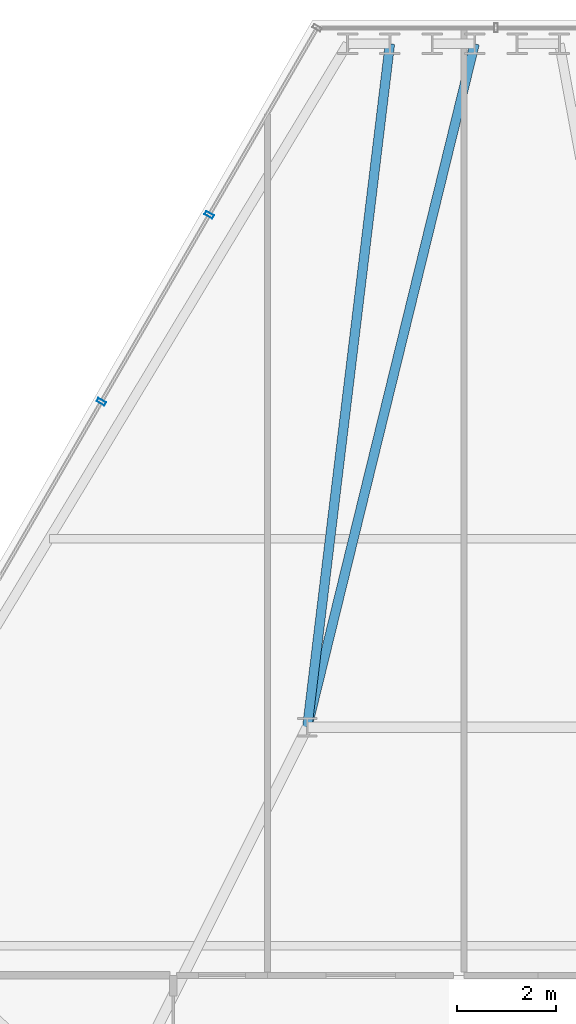
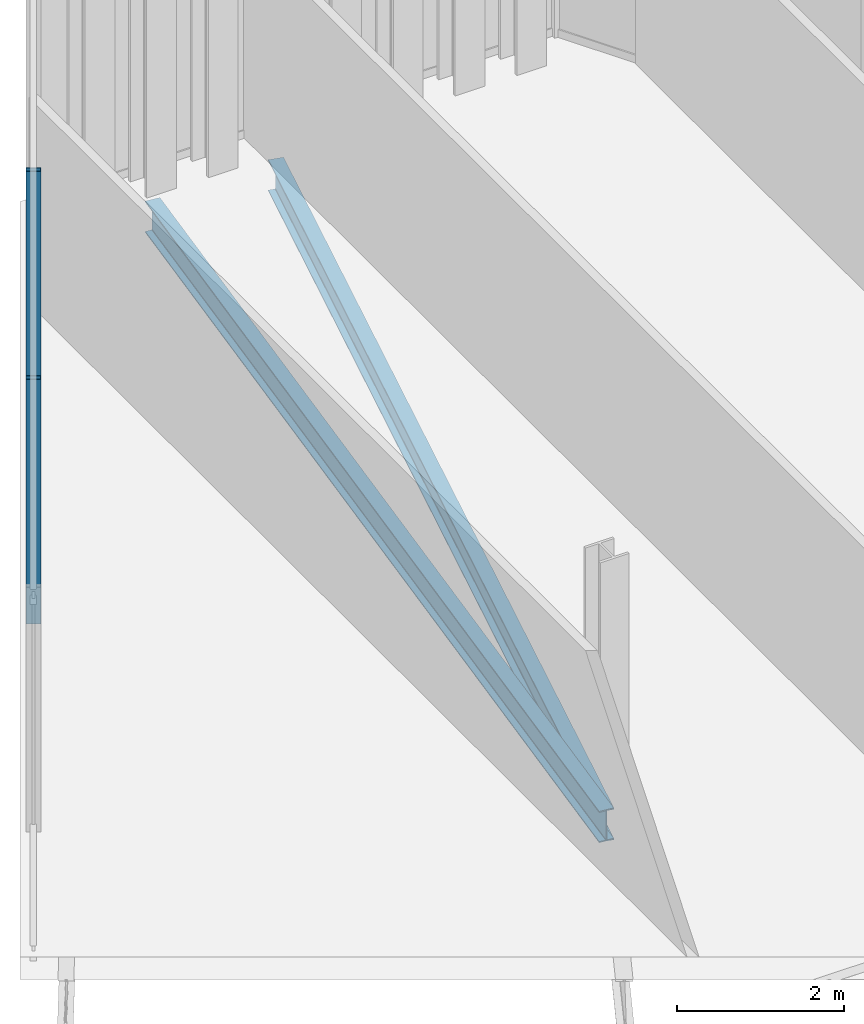
# One storey, part 20 of 29: 2 beams, 2 members, 1 element without a shape of its own.
"""IFC4 building model written with IfcOpenShell, lengths in metres."""

from ifc_helpers import new_model, si_unit, direction, frame, origin, origin_2d, place, context, subcontext, project, spatial, hollow_rectangle, i_section, extrude, material, layer, layer_set, material_profile, profile_set, type_object, element, aggregate, save


model = new_model("IFC4")

# Units and contexts
model_context = context("Model", 3, precision=1e-05, world=origin(), true_north=direction((0.0, 1.0)))
body_context = subcontext(model_context, "Body", "Model", "MODEL_VIEW")
ifc_project = project(units=[si_unit("LENGTHUNIT", "METRE"), si_unit("AREAUNIT", "SQUARE_METRE"), si_unit("VOLUMEUNIT", "CUBIC_METRE"), si_unit("PLANEANGLEUNIT", "RADIAN"), si_unit("MASSUNIT", "GRAM", prefix="KILO")], contexts=[model_context])

# Site, building, storey
site_placement = place(None, origin())
site = spatial("IfcSite", under=ifc_project, at=site_placement, CompositionType="ELEMENT")
building_placement = place(site_placement, origin())
building = spatial("IfcBuilding", under=site, at=building_placement, Name="Ndaravel Arena Tower", CompositionType="ELEMENT")
storey_placement = place(building_placement, frame((0.0, 0.0, 233.199951171875)))
storey = spatial("IfcBuildingStorey", under=building, at=storey_placement, Name="L56", CompositionType="ELEMENT", Elevation=233.199951171875)

# Beams
ifc_material_1 = material(Name="Steel S355", Category="steel")
ifc_material_profile_1 = material_profile(ifc_material_1, i_section(OverallWidth=0.19140625, OverallDepth=0.4599609375, WebThickness=0.010009765625, FlangeThickness=0.01611328125, FilletRadius=0.01025390625, at=origin_2d()), Name="UB 457x191x82")
ifc_profile_set_1 = profile_set([ifc_material_profile_1], Name="Steel S355")
beam_type = type_object("IfcBeamType", Name="BM-GIRD-UB457", PredefinedType="BEAM", material=ifc_profile_set_1)
beam_1_placement = place(storey_placement, frame((41.572998046875, 44.968994140625, -0.449951171875), z_axis=(-0.237937697562, -0.971280418869, 0.0), x_axis=(0.971280418869, -0.237937697562, 0.0)))
element("IfcBeam", 1, at=beam_1_placement, inside=storey, type_object=beam_type, Name="L56 Radial Floor Girder FG-15", PredefinedType="BEAM", context=body_context, shape_type="SweptSolid", body=[
    extrude(i_section(OverallWidth=0.19140625, OverallDepth=0.4599609375, WebThickness=0.010009765625, FlangeThickness=0.01611328125, FilletRadius=0.01025390625, at=origin_2d()), origin(), (0.0, 0.0, 1.0), 14.17626953125),
])
beam_2_placement = place(storey_placement, frame((39.865478515625, 44.968994140625, -0.449951171875), z_axis=(-0.120086390048, -0.992763445603, 0.0), x_axis=(0.992763445603, -0.120086390048, 0.0)))
element("IfcBeam", 2, at=beam_2_placement, inside=storey, type_object=beam_type, Name="L56 Radial Floor Girder FG-17", PredefinedType="BEAM", context=body_context, shape_type="SweptSolid", body=[
    extrude(i_section(OverallWidth=0.19140625, OverallDepth=0.4599609375, WebThickness=0.010009765625, FlangeThickness=0.01611328125, FilletRadius=0.01025390625, at=origin_2d()), origin(), (0.0, 0.0, 1.0), 13.869384765625),
])

# Curtain wall, members
ifc_material_2 = material(Name="Aluminium", Category="aluminium")
ifc_layer = layer(ifc_material_2, 0.179931640625)
ifc_layer_set = layer_set([ifc_layer], Name="Aluminium")
curtain_wall_type = type_object("IfcCurtainWallType", Name="CW-SYS-03", PredefinedType="NOTDEFINED", material=ifc_layer_set)
curtain_wall_placement = place(storey_placement, origin())
curtain_wall = element("IfcCurtainWall", 3, at=curtain_wall_placement, inside=storey, type_object=curtain_wall_type, Name="L56 Faceted Crystal Curtain Wall CW-L56-E05", PredefinedType="NOTDEFINED")
ifc_material_3 = material(Name="Aluminium", Category="aluminium")
ifc_material_profile_2 = material_profile(ifc_material_3, hollow_rectangle(XDim=0.074951171875, YDim=0.179931640625, WallThickness=0.00390625, at=origin_2d()), Name="CW MULLION 75x180x4")
ifc_profile_set_2 = profile_set([ifc_material_profile_2], Name="Aluminium")
member_type = type_object("IfcMemberType", Name="MEM-CW-MUL180", PredefinedType="MULLION", material=ifc_profile_set_2)
member_1_placement = place(storey_placement, frame((36.22607421875, 41.52294921875, 0.0), z_axis=(0.0, 0.0, 1.0), x_axis=(-0.5, -0.866025403784, 0.0)))
member_1 = element("IfcMember", 4, at=member_1_placement, type_object=member_type, Name="CW-L56-E05 Mullion 01", PredefinedType="MULLION", context=body_context, shape_type="SweptSolid", body=[
    extrude(hollow_rectangle(XDim=0.074951171875, YDim=0.179931640625, WallThickness=0.00390625, at=origin_2d()), origin(), (0.0, 0.0, 1.0), 3.580078125),
])
member_2_placement = place(storey_placement, frame((34.0517578125, 37.7568359375, 0.0), z_axis=(0.0, 0.0, 1.0), x_axis=(-0.5, -0.866025403784, 0.0)))
member_2 = element("IfcMember", 5, at=member_2_placement, type_object=member_type, Name="CW-L56-E05 Mullion 02", PredefinedType="MULLION", context=body_context, shape_type="SweptSolid", body=[
    extrude(hollow_rectangle(XDim=0.074951171875, YDim=0.179931640625, WallThickness=0.00390625, at=origin_2d()), origin(), (0.0, 0.0, 1.0), 3.580078125),
])
aggregate(curtain_wall, [member_1, member_2])

save(model, "model.ifc")
